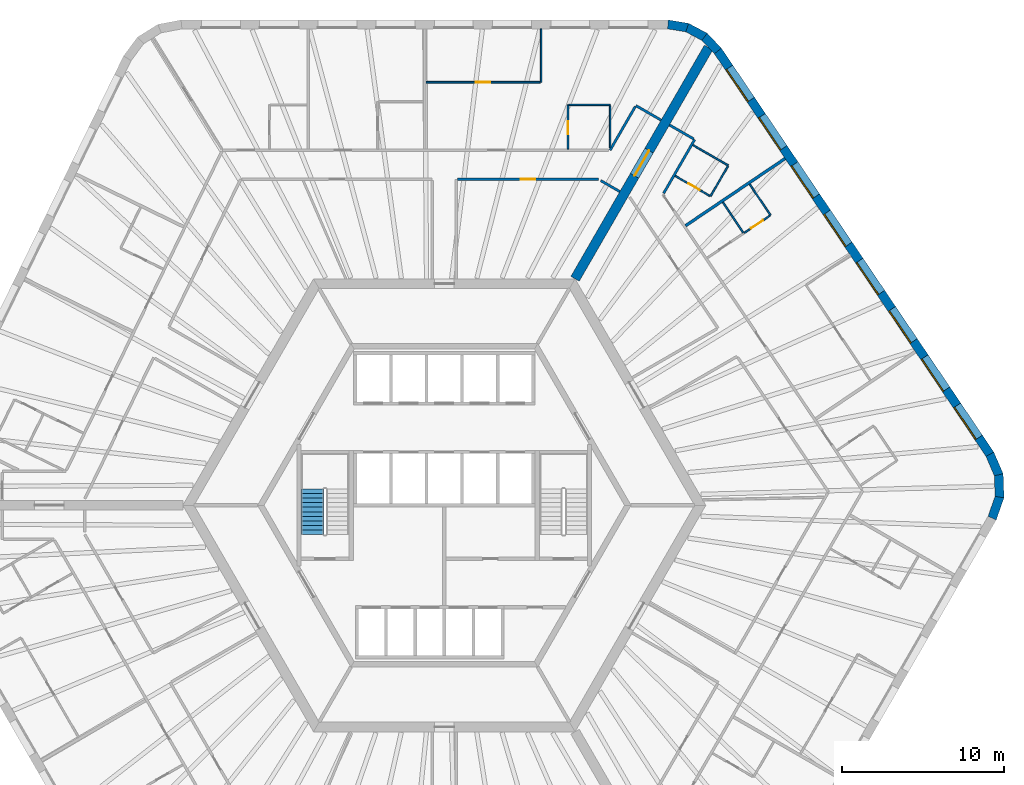
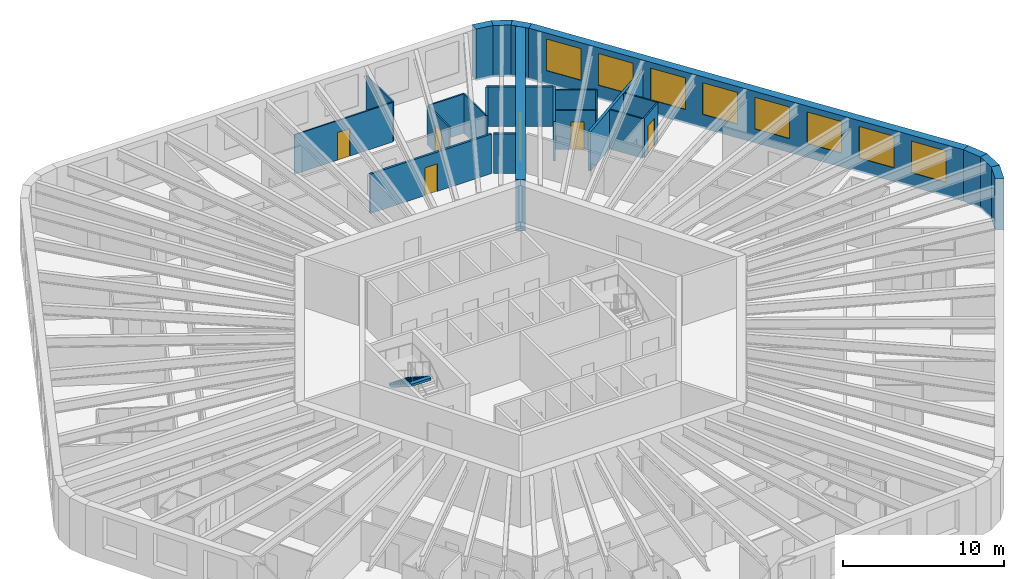
# One storey, part 10 of 12: 26 walls, 8 windows, 6 doors, 1 stair flight, 14 openings, 1 element without a shape of its own.
"""IFC4 building model written with IfcOpenShell, lengths in metres."""

from ifc_helpers import new_model, si_unit, direction, frame, frame_2d, origin, place, context, subcontext, project, spatial, polyline, rectangle, outline, extrude, material, layer, layer_set, type_object, element, fill, aggregate, save


model = new_model("IFC4")

# Units and contexts
model_context = context("Model", 3, precision=1e-05, world=origin(), true_north=direction((0.0, 1.0)))
body_context = subcontext(model_context, "Body", "Model", "MODEL_VIEW")
ifc_project = project(units=[si_unit("LENGTHUNIT", "METRE"), si_unit("AREAUNIT", "SQUARE_METRE"), si_unit("VOLUMEUNIT", "CUBIC_METRE"), si_unit("PLANEANGLEUNIT", "RADIAN"), si_unit("MASSUNIT", "GRAM", prefix="KILO")], contexts=[model_context])

# Site, building, storey
site_placement = place(None, origin())
site = spatial("IfcSite", under=ifc_project, at=site_placement, CompositionType="ELEMENT")
building_placement = place(site_placement, origin())
building = spatial("IfcBuilding", under=site, at=building_placement, Name="Tarnside Tower", CompositionType="ELEMENT")
storey_placement = place(building_placement, frame((0.0, 0.0, 131.10009765625)))
storey = spatial("IfcBuildingStorey", under=building, at=storey_placement, Name="L30", CompositionType="ELEMENT", Elevation=131.10009765625)

# Wall, opening, door
ifc_material_1 = material(Name="Gypsum board partition on steel studs", Category="steel")
ifc_layer_1 = layer(ifc_material_1, 0.10009765625)
ifc_layer_set_1 = layer_set([ifc_layer_1], Name="Bathroom wall 100")
wall_type_1 = type_object("IfcWallType", Name="Bathroom wall 100", PredefinedType="PARTITIONING", material=ifc_layer_set_1)
wall_1_placement = place(storey_placement, frame((7.64794921875, 22.02490234375, 0.0), z_axis=(0.0, 0.0, 1.0), x_axis=(0.0, 1.0, 0.0)))
wall_1 = element("IfcWall", 1, at=wall_1_placement, inside=storey, type_object=wall_type_1, Name="Bathroom wall 09081", PredefinedType="PARTITIONING", context=body_context, shape_type="SweptSolid", body=[
    extrude(rectangle(XDim=2.72509765625, YDim=0.10009765625, at=frame_2d((1.362548828125, 0.0))), origin(), (0.0, 0.0, 1.0), 2.98779296875),
])
opening_1_placement = place(wall_1_placement, frame((0.925048828125, 0.0, 0.0)))
opening_1 = element("IfcOpeningElement", 2, at=opening_1_placement, cuts=wall_1, Name="Opening D-B1", PredefinedType="OPENING", context=body_context, shape_type="SweptSolid", body=[
    extrude(rectangle(XDim=0.800048828125, YDim=2.10009765625, at=frame_2d((0.39990234375, 1.050048828125))), frame((0.0, 0.06005859375, 0.0), z_axis=(0.0, -1.0, 0.0), x_axis=(1.0, 0.0, 0.0)), (0.0, 0.0, 1.0), 0.1201171875),
])
ifc_material_2 = material(Name="Timber door leaf", Category="wood")
door_type_1 = type_object("IfcDoorType", Name="Bathroom door 800", OperationType="NOTDEFINED", PredefinedType="DOOR", material=ifc_material_2)
door_1_placement = place(opening_1_placement, origin())
door_1 = element("IfcDoor", 3, at=door_1_placement, inside=storey, type_object=door_type_1, Name="Bathroom door 09002", OperationType="SINGLE_SWING_RIGHT", OverallHeight=2.10009765625, OverallWidth=0.800048828125, PredefinedType="DOOR", context=body_context, shape_type="SweptSolid", body=[
    extrude(rectangle(XDim=0.800048828125, YDim=2.10009765625, at=frame_2d((0.39990234375, 1.050048828125))), frame((0.0, 0.02490234375, 0.0), z_axis=(0.0, -1.0, 0.0), x_axis=(1.0, 0.0, 0.0)), (0.0, 0.0, 1.0), 0.050048828125),
])
fill(opening_1, door_1)

# Walls
wall_2_placement = place(storey_placement, frame((7.697998046875, 24.75, 0.0), z_axis=(0.0, 0.0, 1.0), x_axis=(1.0, 0.0, 0.0)))
element("IfcWall", 4, at=wall_2_placement, inside=storey, type_object=wall_type_1, Name="Bathroom wall 09082", PredefinedType="PARTITIONING", context=body_context, shape_type="SweptSolid", body=[
    extrude(rectangle(XDim=2.550048828125, YDim=0.10009765625, at=frame_2d((1.27490234375, 0.0))), origin(), (0.0, 0.0, 1.0), 2.98779296875),
])
wall_3_placement = place(storey_placement, frame((10.248046875, 24.699951171875, 0.0), z_axis=(0.0, 0.0, 1.0), x_axis=(0.0, -1.0, 0.0)))
element("IfcWall", 5, at=wall_3_placement, inside=storey, type_object=wall_type_1, Name="Bathroom wall 09083", PredefinedType="PARTITIONING", context=body_context, shape_type="SweptSolid", body=[
    extrude(rectangle(XDim=2.599853515625, YDim=0.10009765625, at=frame_2d((1.2998046875, 0.0))), origin(), (0.0, 0.0, 1.0), 2.98779296875),
])
wall_4_placement = place(storey_placement, frame((18.48388671875, 16.856689453125, 0.0), z_axis=(0.0, 0.0, 1.0), x_axis=(-0.559203826655, 0.82903020467, 0.0)))
element("IfcWall", 6, at=wall_4_placement, inside=storey, type_object=wall_type_1, Name="Bathroom wall 09168", PredefinedType="PARTITIONING", context=body_context, shape_type="SweptSolid", body=[
    extrude(rectangle(XDim=2.26025390625, YDim=0.10009765625, at=frame_2d((1.130126953125, 0.0))), origin(), (0.0, 0.0, 1.0), 2.98779296875),
])
wall_5_placement = place(storey_placement, frame((15.36865234375, 22.26953125, 0.0), z_axis=(0.0, 0.0, 1.0), x_axis=(0.866039067339, -0.499976333282, 0.0)))
element("IfcWall", 7, at=wall_5_placement, inside=storey, type_object=wall_type_1, Name="Bathroom wall 09171", PredefinedType="PARTITIONING", context=body_context, shape_type="SweptSolid", body=[
    extrude(rectangle(XDim=2.52490234375, YDim=0.10009765625, at=frame_2d((1.262451171875, 0.0))), origin(), (0.0, 0.0, 1.0), 2.98779296875),
])
wall_6_placement = place(storey_placement, frame((17.530517578125, 20.963623046875, 0.0), z_axis=(0.0, 0.0, 1.0), x_axis=(-0.500010803666, -0.866019166195, 0.0)))
element("IfcWall", 8, at=wall_6_placement, inside=storey, type_object=wall_type_1, Name="Bathroom wall 09172", PredefinedType="PARTITIONING", context=body_context, shape_type="SweptSolid", body=[
    extrude(rectangle(XDim=2.14990234375, YDim=0.10009765625, at=frame_2d((1.074951171875, 0.0))), origin(), (0.0, 0.0, 1.0), 2.98779296875),
])

# Wall, opening, door
wall_7_placement = place(storey_placement, frame((16.412109375, 19.126708984375, 0.0), z_axis=(0.0, 0.0, 1.0), x_axis=(-0.866006523861, 0.500032699561, 0.0)))
wall_7 = element("IfcWall", 9, at=wall_7_placement, inside=storey, type_object=wall_type_1, Name="Bathroom wall 09173", PredefinedType="PARTITIONING", context=body_context, shape_type="SweptSolid", body=[
    extrude(rectangle(XDim=2.474853515625, YDim=0.10009765625, at=frame_2d((1.2373046875, 0.0))), origin(), (0.0, 0.0, 1.0), 2.98779296875),
])
opening_2_placement = place(wall_7_placement, frame((0.719970703125, 0.0, 0.0)))
opening_2 = element("IfcOpeningElement", 10, at=opening_2_placement, cuts=wall_7, Name="Opening D-B1", PredefinedType="OPENING", context=body_context, shape_type="SweptSolid", body=[
    extrude(rectangle(XDim=0.800048828125, YDim=2.10009765625, at=frame_2d((0.39990234375, 1.050048828125))), frame((0.0, 0.06005859375, 0.0), z_axis=(0.0, -1.0, 0.0), x_axis=(1.0, 0.0, 0.0)), (0.0, 0.0, 1.0), 0.1201171875),
])
door_2_placement = place(opening_2_placement, origin())
door_2 = element("IfcDoor", 11, at=door_2_placement, inside=storey, type_object=door_type_1, Name="Bathroom door 09044", OperationType="SINGLE_SWING_RIGHT", OverallHeight=2.10009765625, OverallWidth=0.800048828125, PredefinedType="DOOR", context=body_context, shape_type="SweptSolid", body=[
    extrude(rectangle(XDim=0.800048828125, YDim=2.10009765625, at=frame_2d((0.39990234375, 1.050048828125))), frame((0.0, 0.02490234375, 0.0), z_axis=(0.0, -1.0, 0.0), x_axis=(1.0, 0.0, 0.0)), (0.0, 0.0, 1.0), 0.050048828125),
])
fill(opening_2, door_2)

ifc_material_3 = material(Name="Concrete C80/95", Category="concrete")
ifc_layer_2 = layer(ifc_material_3, 0.60009765625)
ifc_layer_set_2 = layer_set([ifc_layer_2], Name="Core wall Z1 600 C80/95")
wall_type_2 = type_object("IfcWallType", Name="Core wall Z1 600 C80/95", PredefinedType="SHEAR", material=ifc_layer_set_2)
wall_8_placement = place(storey_placement, frame((8.0830078125, 14.0, -0.150146484375), z_axis=(0.0, 0.0, 1.0), x_axis=(0.499997680643, 0.866026742862, 0.0)))
wall_8 = element("IfcWall", 12, at=wall_8_placement, inside=storey, type_object=wall_type_2, Name="L30 spine wall 1", PredefinedType="SHEAR", context=body_context, shape_type="SweptSolid", body=[
    extrude(rectangle(XDim=16.5087890625, YDim=0.60009765625, at=frame_2d((8.25439453125, 0.0))), origin(), (0.0, 0.0, 1.0), 3.900146484375),
])
opening_3_placement = place(wall_8_placement, frame((7.3544921875, 0.0, 0.14990234375)))
opening_3 = element("IfcOpeningElement", 13, at=opening_3_placement, cuts=wall_8, Name="Opening CD-SPN", PredefinedType="OPENING", context=body_context, shape_type="SweptSolid", body=[
    extrude(rectangle(XDim=1.800048828125, YDim=2.39990234375, at=frame_2d((0.89990234375, 1.199951171875))), frame((0.0, 0.31005859375, 0.0), z_axis=(0.0, -1.0, 0.0), x_axis=(1.0, 0.0, 0.0)), (0.0, 0.0, 1.0), 0.6201171875),
])
ifc_material_4 = material(Name="Steel fire door", Category="steel")
door_type_2 = type_object("IfcDoorType", Name="Spine passage double door FD60 1800x2400", OperationType="NOTDEFINED", PredefinedType="DOOR", material=ifc_material_4)
door_3_placement = place(opening_3_placement, origin())
door_3 = element("IfcDoor", 14, at=door_3_placement, inside=storey, type_object=door_type_2, Name="L30 spine passage door 1", OperationType="DOUBLE_DOOR_SINGLE_SWING", OverallHeight=2.39990234375, OverallWidth=1.800048828125, PredefinedType="DOOR", context=body_context, shape_type="SweptSolid", body=[
    extrude(rectangle(XDim=1.800048828125, YDim=2.39990234375, at=frame_2d((0.89990234375, 1.199951171875))), frame((0.0, 0.02490234375, 0.0), z_axis=(0.0, -1.0, 0.0), x_axis=(1.0, 0.0, 0.0)), (0.0, 0.0, 1.0), 0.050048828125),
])
fill(opening_3, door_3)

# Walls
ifc_layer_3 = layer(ifc_material_1, 0.14990234375)
ifc_layer_set_3 = layer_set([ifc_layer_3], Name="Corridor wall 150 EI 60")
wall_type_3 = type_object("IfcWallType", Name="Corridor wall 150 EI 60", PredefinedType="PARTITIONING", material=ifc_layer_set_3)
wall_9_placement = place(storey_placement, frame((13.400390625, 23.81005859375, 0.0), z_axis=(0.0, 0.0, 1.0), x_axis=(-0.865989075817, 0.500062916607, 0.0)))
element("IfcWall", 15, at=wall_9_placement, inside=storey, type_object=wall_type_3, Name="Corridor wall 09002", PredefinedType="PARTITIONING", context=body_context, shape_type="SweptSolid", body=[
    extrude(rectangle(XDim=1.800048828125, YDim=0.14990234375, at=frame_2d((0.89990234375, 0.0))), origin(), (0.0, 0.0, 1.0), 2.98779296875),
])
wall_10_placement = place(storey_placement, frame((11.803955078125, 24.64501953125, 0.0), z_axis=(0.0, 0.0, 1.0), x_axis=(-0.499978251519, -0.866037959912, 0.0)))
element("IfcWall", 16, at=wall_10_placement, inside=storey, type_object=wall_type_3, Name="Corridor wall 09003", PredefinedType="PARTITIONING", context=body_context, shape_type="SweptSolid", body=[
    extrude(rectangle(XDim=3.112060546875, YDim=0.14990234375, at=frame_2d((1.55615234375, 0.0))), origin(), (0.0, 0.0, 1.0), 2.98779296875),
])

# Wall, opening, door
wall_11_placement = place(storey_placement, frame((0.824951171875, 20.14990234375, 0.0), z_axis=(0.0, 0.0, 1.0), x_axis=(1.0, 0.0, 0.0)))
wall_11 = element("IfcWall", 17, at=wall_11_placement, inside=storey, type_object=wall_type_3, Name="Corridor wall 09023", PredefinedType="PARTITIONING", context=body_context, shape_type="SweptSolid", body=[
    extrude(rectangle(XDim=8.712158203125, YDim=0.14990234375, at=frame_2d((4.35595703125, 0.0))), origin(), (0.0, 0.0, 1.0), 2.98779296875),
])
opening_4_placement = place(wall_11_placement, frame((3.906005859375, 0.0, 0.0)))
opening_4 = element("IfcOpeningElement", 18, at=opening_4_placement, cuts=wall_11, Name="Opening D-S1", PredefinedType="OPENING", context=body_context, shape_type="SweptSolid", body=[
    extrude(rectangle(XDim=0.89990234375, YDim=2.10009765625, at=frame_2d((0.449951171875, 1.050048828125))), frame((0.0, 0.0849609375, 0.0), z_axis=(0.0, -1.0, 0.0), x_axis=(1.0, 0.0, 0.0)), (0.0, 0.0, 1.0), 0.169921875),
])
door_type_3 = type_object("IfcDoorType", Name="Service room door 900 FD30S", OperationType="NOTDEFINED", PredefinedType="DOOR", material=ifc_material_2)
door_4_placement = place(opening_4_placement, origin())
door_4 = element("IfcDoor", 19, at=door_4_placement, inside=storey, type_object=door_type_3, Name="Service door 09047", OperationType="SINGLE_SWING_RIGHT", OverallHeight=2.10009765625, OverallWidth=0.89990234375, PredefinedType="DOOR", context=body_context, shape_type="SweptSolid", body=[
    extrude(rectangle(XDim=0.89990234375, YDim=2.10009765625, at=frame_2d((0.449951171875, 1.050048828125))), frame((0.0, 0.02490234375, 0.0), z_axis=(0.0, -1.0, 0.0), x_axis=(1.0, 0.0, 0.0)), (0.0, 0.0, 1.0), 0.050048828125),
])
fill(opening_4, door_4)

# Walls
wall_12_placement = place(storey_placement, frame((9.6669921875, 20.074951171875, 0.0), z_axis=(0.0, 0.0, 1.0), x_axis=(0.866000994684, -0.500042275419, 0.0)))
element("IfcWall", 20, at=wall_12_placement, inside=storey, type_object=wall_type_3, Name="Corridor wall 09024", PredefinedType="PARTITIONING", context=body_context, shape_type="SweptSolid", body=[
    extrude(rectangle(XDim=1.36572265625, YDim=0.14990234375, at=frame_2d((0.682861328125, 0.0))), origin(), (0.0, 0.0, 1.0), 2.98779296875),
])
wall_13_placement = place(storey_placement, frame((13.55908203125, 19.284912109375, 0.0), z_axis=(0.0, 0.0, 1.0), x_axis=(0.499975646431, 0.866039463868, 0.0)))
element("IfcWall", 21, at=wall_13_placement, inside=storey, type_object=wall_type_3, Name="Corridor wall 09066", PredefinedType="PARTITIONING", context=body_context, shape_type="SweptSolid", body=[
    extrude(rectangle(XDim=3.839599609375, YDim=0.14990234375, at=frame_2d((1.919921875, 0.0))), origin(), (0.0, 0.0, 1.0), 2.98779296875),
])
wall_14_placement = place(storey_placement, frame((15.413818359375, 22.647705078125, 0.0), z_axis=(0.0, 0.0, 1.0), x_axis=(-0.866074815912, 0.499914405916, 0.0)))
element("IfcWall", 22, at=wall_14_placement, inside=storey, type_object=wall_type_3, Name="Corridor wall 09067", PredefinedType="PARTITIONING", context=body_context, shape_type="SweptSolid", body=[
    extrude(rectangle(XDim=1.724853515625, YDim=0.14990234375, at=frame_2d((0.8623046875, 0.0))), origin(), (0.0, 0.0, 1.0), 2.98779296875),
])
ifc_layer_4 = layer(ifc_material_1, 0.179931640625)
ifc_layer_set_4 = layer_set([ifc_layer_4], Name="Demising wall 180 EI 60")
wall_type_4 = type_object("IfcWallType", Name="Demising wall 180 EI 60", PredefinedType="PARTITIONING", material=ifc_layer_set_4)
wall_15_placement = place(storey_placement, frame((21.066162109375, 21.433349609375, 0.0), z_axis=(0.0, 0.0, 1.0), x_axis=(-0.829028170871, -0.559206841788, 0.0)))
element("IfcWall", 23, at=wall_15_placement, inside=storey, type_object=wall_type_4, Name="Demising wall 09167", PredefinedType="PARTITIONING", context=body_context, shape_type="SweptSolid", body=[
    extrude(rectangle(XDim=7.425048828125, YDim=0.179931640625, at=frame_2d((3.71240234375, 0.0))), origin(), (0.0, 0.0, 1.0), 2.98779296875),
])
ifc_layer_5 = layer(ifc_material_1, 0.10009765625)
ifc_layer_set_5 = layer_set([ifc_layer_5], Name="Partition 100")
wall_type_5 = type_object("IfcWallType", Name="Partition 100", PredefinedType="PARTITIONING", material=ifc_layer_set_5)
wall_16_placement = place(storey_placement, frame((5.989013671875, 29.449951171875, 0.0), z_axis=(0.0, 0.0, 1.0), x_axis=(0.0, -1.0, 0.0)))
element("IfcWall", 24, at=wall_16_placement, inside=storey, type_object=wall_type_5, Name="Partition wall 09084", PredefinedType="PARTITIONING", context=body_context, shape_type="SweptSolid", body=[
    extrude(rectangle(XDim=3.300048828125, YDim=0.10009765625, at=frame_2d((1.64990234375, 0.0))), origin(), (0.0, 0.0, 1.0), 2.98779296875),
])

# Wall, opening, door
wall_17_placement = place(storey_placement, frame((5.93896484375, 26.14990234375, 0.0), z_axis=(0.0, 0.0, 1.0), x_axis=(-1.0, 0.0, 0.0)))
wall_17 = element("IfcWall", 25, at=wall_17_placement, inside=storey, type_object=wall_type_5, Name="Partition wall 09085", PredefinedType="PARTITIONING", context=body_context, shape_type="SweptSolid", body=[
    extrude(rectangle(XDim=7.06005859375, YDim=0.10009765625, at=frame_2d((3.530029296875, 0.0))), origin(), (0.0, 0.0, 1.0), 2.98779296875),
])
opening_5_placement = place(wall_17_placement, frame((3.10009765625, 0.0, 0.0)))
opening_5 = element("IfcOpeningElement", 26, at=opening_5_placement, cuts=wall_17, Name="Opening D-I1", PredefinedType="OPENING", context=body_context, shape_type="SweptSolid", body=[
    extrude(rectangle(XDim=0.89990234375, YDim=2.10009765625, at=frame_2d((0.449951171875, 1.050048828125))), frame((0.0, 0.06005859375, 0.0), z_axis=(0.0, -1.0, 0.0), x_axis=(1.0, 0.0, 0.0)), (0.0, 0.0, 1.0), 0.1201171875),
])
door_type_4 = type_object("IfcDoorType", Name="Internal door 900", OperationType="NOTDEFINED", PredefinedType="DOOR", material=ifc_material_2)
door_5_placement = place(opening_5_placement, origin())
door_5 = element("IfcDoor", 27, at=door_5_placement, inside=storey, type_object=door_type_4, Name="Internal door 09003", OperationType="SINGLE_SWING_RIGHT", OverallHeight=2.10009765625, OverallWidth=0.89990234375, PredefinedType="DOOR", context=body_context, shape_type="SweptSolid", body=[
    extrude(rectangle(XDim=0.89990234375, YDim=2.10009765625, at=frame_2d((0.449951171875, 1.050048828125))), frame((0.0, 0.02490234375, 0.0), z_axis=(0.0, -1.0, 0.0), x_axis=(1.0, 0.0, 0.0)), (0.0, 0.0, 1.0), 0.050048828125),
])
fill(opening_5, door_5)

# Wall
wall_18_placement = place(storey_placement, frame((18.878173828125, 19.848876953125, 0.0), z_axis=(0.0, 0.0, 1.0), x_axis=(0.559204176839, -0.829029968461, 0.0)))
element("IfcWall", 28, at=wall_18_placement, inside=storey, type_object=wall_type_5, Name="Partition wall 09163", PredefinedType="PARTITIONING", context=body_context, shape_type="SweptSolid", body=[
    extrude(rectangle(XDim=2.31005859375, YDim=0.10009765625, at=frame_2d((1.155029296875, 0.0))), origin(), (0.0, 0.0, 1.0), 2.98779296875),
])

# Wall, opening, door
wall_19_placement = place(storey_placement, frame((20.12841796875, 17.90576171875, 0.0), z_axis=(0.0, 0.0, 1.0), x_axis=(-0.82903334026, -0.559199178055, 0.0)))
wall_19 = element("IfcWall", 29, at=wall_19_placement, inside=storey, type_object=wall_type_5, Name="Partition wall 09164", PredefinedType="PARTITIONING", context=body_context, shape_type="SweptSolid", body=[
    extrude(rectangle(XDim=1.900146484375, YDim=0.10009765625, at=frame_2d((0.9501953125, 0.0))), origin(), (0.0, 0.0, 1.0), 2.98779296875),
])
opening_6_placement = place(wall_19_placement, frame((0.5, 0.0, 0.0)))
opening_6 = element("IfcOpeningElement", 30, at=opening_6_placement, cuts=wall_19, Name="Opening D-I1", PredefinedType="OPENING", context=body_context, shape_type="SweptSolid", body=[
    extrude(rectangle(XDim=0.89990234375, YDim=2.10009765625, at=frame_2d((0.449951171875, 1.050048828125))), frame((0.0, 0.06005859375, 0.0), z_axis=(0.0, -1.0, 0.0), x_axis=(1.0, 0.0, 0.0)), (0.0, 0.0, 1.0), 0.1201171875),
])
door_6_placement = place(opening_6_placement, origin())
door_6 = element("IfcDoor", 31, at=door_6_placement, inside=storey, type_object=door_type_4, Name="Internal door 09041", OperationType="SINGLE_SWING_RIGHT", OverallHeight=2.10009765625, OverallWidth=0.89990234375, PredefinedType="DOOR", context=body_context, shape_type="SweptSolid", body=[
    extrude(rectangle(XDim=0.89990234375, YDim=2.10009765625, at=frame_2d((0.449951171875, 1.050048828125))), frame((0.0, 0.02490234375, 0.0), z_axis=(0.0, -1.0, 0.0), x_axis=(1.0, 0.0, 0.0)), (0.0, 0.0, 1.0), 0.050048828125),
])
fill(opening_6, door_6)

# Walls
ifc_material_5 = material(Name="Facing brick", Category="masonry")
ifc_layer_6 = layer(ifc_material_5, 0.10205078125)
ifc_material_6 = material(Name="Concrete C60/75 precast", Category="concrete")
ifc_layer_7 = layer(ifc_material_6, 0.347900390625)
ifc_material_7 = material(Name="Mineral wool insulation")
ifc_layer_8 = layer(ifc_material_7, 0.10009765625)
ifc_layer_set_6 = layer_set([ifc_layer_6, ifc_layer_7, ifc_layer_8], Name="Tube wall 550 brick faced")
wall_type_6 = type_object("IfcWallType", Name="Tube wall 550 brick faced", PredefinedType="SOLIDWALL", material=ifc_layer_set_6)
wall_20_placement = place(storey_placement, frame((33.865966796875, -0.79248046875, -0.150146484375), z_axis=(0.0, 0.0, 1.0), x_axis=(0.33111537203, 0.943590276765, 0.0)))
element("IfcWall", 32, at=wall_20_placement, inside=storey, type_object=wall_type_6, Name="Tube wall L30 F5 chord 17", PredefinedType="SOLIDWALL", context=body_context, shape_type="SweptSolid", body=[
    extrude(outline(polyline([(-0.025634765625, -0.27490234375), (1.4306640625, -0.27490234375), (1.3271484375, 0.27490234375), (0.025634765625, 0.27490234375), (-0.025634765625, -0.27490234375)])), origin(), (0.0, 0.0, 1.0), 3.900146484375),
])
wall_21_placement = place(storey_placement, frame((34.322509765625, 0.508544921875, -0.150146484375), z_axis=(0.0, 0.0, 1.0), x_axis=(-0.034876908462, 0.999391615562, 0.0)))
element("IfcWall", 33, at=wall_21_placement, inside=storey, type_object=wall_type_6, Name="Tube wall L30 F5 chord 18", PredefinedType="SOLIDWALL", context=body_context, shape_type="SweptSolid", body=[
    extrude(outline(polyline([(-0.0517578125, -0.27490234375), (1.4306640625, -0.27490234375), (1.3271484375, 0.27490234375), (0.0517578125, 0.27490234375), (-0.0517578125, -0.27490234375)])), origin(), (0.0, 0.0, 1.0), 3.900146484375),
])
wall_22_placement = place(storey_placement, frame((34.2744140625, 1.88671875, -0.150146484375), z_axis=(0.0, 0.0, 1.0), x_axis=(-0.396161342798, 0.918180913803, 0.0)))
element("IfcWall", 34, at=wall_22_placement, inside=storey, type_object=wall_type_6, Name="Tube wall L30 F5 chord 19", PredefinedType="SOLIDWALL", context=body_context, shape_type="SweptSolid", body=[
    extrude(outline(polyline([(-0.0517578125, -0.27490234375), (1.40478515625, -0.27490234375), (1.353515625, 0.27490234375), (0.0517578125, 0.27490234375), (-0.0517578125, -0.27490234375)])), origin(), (0.0, 0.0, 1.0), 3.900146484375),
])

# Wall, openings, windows
wall_23_placement = place(storey_placement, frame((33.72802734375, 3.153076171875, -0.150146484375), z_axis=(0.0, 0.0, 1.0), x_axis=(-0.559192411416, 0.82903790445, 0.0)))
wall_23 = element("IfcWall", 35, at=wall_23_placement, inside=storey, type_object=wall_type_6, Name="Tube wall L30 F6 flush 20", PredefinedType="SOLIDWALL", context=body_context, shape_type="SweptSolid", body=[
    extrude(outline(polyline([(-0.025634765625, -0.27490234375), (30.09326171875, -0.27490234375), (30.04833984375, 0.27490234375), (0.025634765625, 0.27490234375), (-0.025634765625, -0.27490234375)])), origin(), (0.0, 0.0, 1.0), 3.900146484375),
])
opening_7_placement = place(wall_23_placement, frame((1.235595703125, 0.0, 1.050048828125)))
opening_7 = element("IfcOpeningElement", 36, at=opening_7_placement, cuts=wall_23, Name="Opening WH", PredefinedType="OPENING", context=body_context, shape_type="SweptSolid", body=[
    extrude(rectangle(XDim=2.39990234375, YDim=2.39990234375, at=frame_2d((1.199951171875, 1.199951171875))), frame((0.0, 0.28515625, 0.0), z_axis=(0.0, -1.0, 0.0), x_axis=(1.0, 0.0, 0.0)), (0.0, 0.0, 1.0), 0.570068359375),
])
opening_8_placement = place(wall_23_placement, frame((4.83544921875, 0.0, 1.050048828125)))
opening_8 = element("IfcOpeningElement", 37, at=opening_8_placement, cuts=wall_23, Name="Opening WH", PredefinedType="OPENING", context=body_context, shape_type="SweptSolid", body=[
    extrude(rectangle(XDim=2.39990234375, YDim=2.39990234375, at=frame_2d((1.199951171875, 1.199951171875))), frame((0.0, 0.28515625, 0.0), z_axis=(0.0, -1.0, 0.0), x_axis=(1.0, 0.0, 0.0)), (0.0, 0.0, 1.0), 0.570068359375),
])
opening_9_placement = place(wall_23_placement, frame((8.435546875, 0.0, 1.050048828125)))
opening_9 = element("IfcOpeningElement", 38, at=opening_9_placement, cuts=wall_23, Name="Opening WH", PredefinedType="OPENING", context=body_context, shape_type="SweptSolid", body=[
    extrude(rectangle(XDim=2.39990234375, YDim=2.39990234375, at=frame_2d((1.199951171875, 1.199951171875))), frame((0.0, 0.28515625, 0.0), z_axis=(0.0, -1.0, 0.0), x_axis=(1.0, 0.0, 0.0)), (0.0, 0.0, 1.0), 0.570068359375),
])
opening_10_placement = place(wall_23_placement, frame((12.035400390625, 0.0, 1.050048828125)))
opening_10 = element("IfcOpeningElement", 39, at=opening_10_placement, cuts=wall_23, Name="Opening WH", PredefinedType="OPENING", context=body_context, shape_type="SweptSolid", body=[
    extrude(rectangle(XDim=2.39990234375, YDim=2.39990234375, at=frame_2d((1.199951171875, 1.199951171875))), frame((0.0, 0.28515625, 0.0), z_axis=(0.0, -1.0, 0.0), x_axis=(1.0, 0.0, 0.0)), (0.0, 0.0, 1.0), 0.570068359375),
])
opening_11_placement = place(wall_23_placement, frame((15.635498046875, 0.0, 1.050048828125)))
opening_11 = element("IfcOpeningElement", 40, at=opening_11_placement, cuts=wall_23, Name="Opening WH", PredefinedType="OPENING", context=body_context, shape_type="SweptSolid", body=[
    extrude(rectangle(XDim=2.39990234375, YDim=2.39990234375, at=frame_2d((1.199951171875, 1.199951171875))), frame((0.0, 0.28515625, 0.0), z_axis=(0.0, -1.0, 0.0), x_axis=(1.0, 0.0, 0.0)), (0.0, 0.0, 1.0), 0.570068359375),
])
opening_12_placement = place(wall_23_placement, frame((19.235595703125, 0.0, 1.050048828125)))
opening_12 = element("IfcOpeningElement", 41, at=opening_12_placement, cuts=wall_23, Name="Opening WH", PredefinedType="OPENING", context=body_context, shape_type="SweptSolid", body=[
    extrude(rectangle(XDim=2.39990234375, YDim=2.39990234375, at=frame_2d((1.199951171875, 1.199951171875))), frame((0.0, 0.28515625, 0.0), z_axis=(0.0, -1.0, 0.0), x_axis=(1.0, 0.0, 0.0)), (0.0, 0.0, 1.0), 0.570068359375),
])
opening_13_placement = place(wall_23_placement, frame((22.83544921875, 0.0, 1.050048828125)))
opening_13 = element("IfcOpeningElement", 42, at=opening_13_placement, cuts=wall_23, Name="Opening WH", PredefinedType="OPENING", context=body_context, shape_type="SweptSolid", body=[
    extrude(rectangle(XDim=2.39990234375, YDim=2.39990234375, at=frame_2d((1.199951171875, 1.199951171875))), frame((0.0, 0.28515625, 0.0), z_axis=(0.0, -1.0, 0.0), x_axis=(1.0, 0.0, 0.0)), (0.0, 0.0, 1.0), 0.570068359375),
])
opening_14_placement = place(wall_23_placement, frame((26.435546875, 0.0, 1.050048828125)))
opening_14 = element("IfcOpeningElement", 43, at=opening_14_placement, cuts=wall_23, Name="Opening WH", PredefinedType="OPENING", context=body_context, shape_type="SweptSolid", body=[
    extrude(rectangle(XDim=2.39990234375, YDim=2.39990234375, at=frame_2d((1.199951171875, 1.199951171875))), frame((0.0, 0.28515625, 0.0), z_axis=(0.0, -1.0, 0.0), x_axis=(1.0, 0.0, 0.0)), (0.0, 0.0, 1.0), 0.570068359375),
])
ifc_material_8 = material(Name="Aluminium-framed double glazing", Category="aluminium")
window_type = type_object("IfcWindowType", Name="Hotel window 2400 x 2400", PartitioningType="DOUBLE_PANEL_VERTICAL", PredefinedType="WINDOW", material=ifc_material_8)
window_1_placement = place(opening_7_placement, frame((0.0, 0.205078125, 0.0)))
window_1 = element("IfcWindow", 44, at=window_1_placement, inside=storey, type_object=window_type, Name="E.WN.L30.F6.00", OverallHeight=2.39990234375, OverallWidth=2.39990234375, PartitioningType="DOUBLE_PANEL_VERTICAL", PredefinedType="WINDOW", context=body_context, shape_type="SweptSolid", body=[
    extrude(rectangle(XDim=2.39990234375, YDim=2.39990234375, at=frame_2d((1.199951171875, 1.199951171875))), frame((0.0, 0.030029296875, 0.0), z_axis=(0.0, -1.0, 0.0), x_axis=(1.0, 0.0, 0.0)), (0.0, 0.0, 1.0), 0.06005859375),
])
fill(opening_7, window_1)
window_2_placement = place(opening_8_placement, frame((0.0, 0.205078125, 0.0)))
window_2 = element("IfcWindow", 45, at=window_2_placement, inside=storey, type_object=window_type, Name="E.WN.L30.F6.01", OverallHeight=2.39990234375, OverallWidth=2.39990234375, PartitioningType="DOUBLE_PANEL_VERTICAL", PredefinedType="WINDOW", context=body_context, shape_type="SweptSolid", body=[
    extrude(rectangle(XDim=2.39990234375, YDim=2.39990234375, at=frame_2d((1.199951171875, 1.199951171875))), frame((0.0, 0.030029296875, 0.0), z_axis=(0.0, -1.0, 0.0), x_axis=(1.0, 0.0, 0.0)), (0.0, 0.0, 1.0), 0.06005859375),
])
fill(opening_8, window_2)
window_3_placement = place(opening_9_placement, frame((0.0, 0.205078125, 0.0)))
window_3 = element("IfcWindow", 46, at=window_3_placement, inside=storey, type_object=window_type, Name="E.WN.L30.F6.02", OverallHeight=2.39990234375, OverallWidth=2.39990234375, PartitioningType="DOUBLE_PANEL_VERTICAL", PredefinedType="WINDOW", context=body_context, shape_type="SweptSolid", body=[
    extrude(rectangle(XDim=2.39990234375, YDim=2.39990234375, at=frame_2d((1.199951171875, 1.199951171875))), frame((0.0, 0.030029296875, 0.0), z_axis=(0.0, -1.0, 0.0), x_axis=(1.0, 0.0, 0.0)), (0.0, 0.0, 1.0), 0.06005859375),
])
fill(opening_9, window_3)
window_4_placement = place(opening_10_placement, frame((0.0, 0.205078125, 0.0)))
window_4 = element("IfcWindow", 47, at=window_4_placement, inside=storey, type_object=window_type, Name="E.WN.L30.F6.03", OverallHeight=2.39990234375, OverallWidth=2.39990234375, PartitioningType="DOUBLE_PANEL_VERTICAL", PredefinedType="WINDOW", context=body_context, shape_type="SweptSolid", body=[
    extrude(rectangle(XDim=2.39990234375, YDim=2.39990234375, at=frame_2d((1.199951171875, 1.199951171875))), frame((0.0, 0.030029296875, 0.0), z_axis=(0.0, -1.0, 0.0), x_axis=(1.0, 0.0, 0.0)), (0.0, 0.0, 1.0), 0.06005859375),
])
fill(opening_10, window_4)
window_5_placement = place(opening_11_placement, frame((0.0, 0.205078125, 0.0)))
window_5 = element("IfcWindow", 48, at=window_5_placement, inside=storey, type_object=window_type, Name="E.WN.L30.F6.04", OverallHeight=2.39990234375, OverallWidth=2.39990234375, PartitioningType="DOUBLE_PANEL_VERTICAL", PredefinedType="WINDOW", context=body_context, shape_type="SweptSolid", body=[
    extrude(rectangle(XDim=2.39990234375, YDim=2.39990234375, at=frame_2d((1.199951171875, 1.199951171875))), frame((0.0, 0.030029296875, 0.0), z_axis=(0.0, -1.0, 0.0), x_axis=(1.0, 0.0, 0.0)), (0.0, 0.0, 1.0), 0.06005859375),
])
fill(opening_11, window_5)
window_6_placement = place(opening_12_placement, frame((0.0, 0.205078125, 0.0)))
window_6 = element("IfcWindow", 49, at=window_6_placement, inside=storey, type_object=window_type, Name="E.WN.L30.F6.05", OverallHeight=2.39990234375, OverallWidth=2.39990234375, PartitioningType="DOUBLE_PANEL_VERTICAL", PredefinedType="WINDOW", context=body_context, shape_type="SweptSolid", body=[
    extrude(rectangle(XDim=2.39990234375, YDim=2.39990234375, at=frame_2d((1.199951171875, 1.199951171875))), frame((0.0, 0.030029296875, 0.0), z_axis=(0.0, -1.0, 0.0), x_axis=(1.0, 0.0, 0.0)), (0.0, 0.0, 1.0), 0.06005859375),
])
fill(opening_12, window_6)
window_7_placement = place(opening_13_placement, frame((0.0, 0.205078125, 0.0)))
window_7 = element("IfcWindow", 50, at=window_7_placement, inside=storey, type_object=window_type, Name="E.WN.L30.F6.06", OverallHeight=2.39990234375, OverallWidth=2.39990234375, PartitioningType="DOUBLE_PANEL_VERTICAL", PredefinedType="WINDOW", context=body_context, shape_type="SweptSolid", body=[
    extrude(rectangle(XDim=2.39990234375, YDim=2.39990234375, at=frame_2d((1.199951171875, 1.199951171875))), frame((0.0, 0.030029296875, 0.0), z_axis=(0.0, -1.0, 0.0), x_axis=(1.0, 0.0, 0.0)), (0.0, 0.0, 1.0), 0.06005859375),
])
fill(opening_13, window_7)
window_8_placement = place(opening_14_placement, frame((0.0, 0.205078125, 0.0)))
window_8 = element("IfcWindow", 51, at=window_8_placement, inside=storey, type_object=window_type, Name="E.WN.L30.F6.07", OverallHeight=2.39990234375, OverallWidth=2.39990234375, PartitioningType="DOUBLE_PANEL_VERTICAL", PredefinedType="WINDOW", context=body_context, shape_type="SweptSolid", body=[
    extrude(rectangle(XDim=2.39990234375, YDim=2.39990234375, at=frame_2d((1.199951171875, 1.199951171875))), frame((0.0, 0.030029296875, 0.0), z_axis=(0.0, -1.0, 0.0), x_axis=(1.0, 0.0, 0.0)), (0.0, 0.0, 1.0), 0.06005859375),
])
fill(opening_14, window_8)

# Walls
wall_24_placement = place(storey_placement, frame((16.91259765625, 28.0830078125, -0.150146484375), z_axis=(0.0, 0.0, 1.0), x_axis=(-0.686196220404, 0.727416488061, 0.0)))
element("IfcWall", 52, at=wall_24_placement, inside=storey, type_object=wall_type_6, Name="Tube wall L30 F6 chord 21", PredefinedType="SOLIDWALL", context=body_context, shape_type="SweptSolid", body=[
    extrude(outline(polyline([(-0.0224609375, -0.27490234375), (1.25341796875, -0.27490234375), (1.1630859375, 0.27490234375), (0.0224609375, 0.27490234375), (-0.0224609375, -0.27490234375)])), origin(), (0.0, 0.0, 1.0), 3.900146484375),
])
wall_25_placement = place(storey_placement, frame((16.08349609375, 28.9619140625, -0.150146484375), z_axis=(0.0, 0.0, 1.0), x_axis=(-0.882995347911, 0.469381737574, 0.0)))
element("IfcWall", 53, at=wall_25_placement, inside=storey, type_object=wall_type_6, Name="Tube wall L30 F6 chord 22", PredefinedType="SOLIDWALL", context=body_context, shape_type="SweptSolid", body=[
    extrude(outline(polyline([(-0.045166015625, -0.27490234375), (1.25341796875, -0.27490234375), (1.1630859375, 0.27490234375), (0.045166015625, 0.27490234375), (-0.045166015625, -0.27490234375)])), origin(), (0.0, 0.0, 1.0), 3.900146484375),
])
wall_26_placement = place(storey_placement, frame((15.0166015625, 29.529052734375, -0.150146484375), z_axis=(0.0, 0.0, 1.0), x_axis=(-0.986746625868, 0.162268593195, 0.0)))
element("IfcWall", 54, at=wall_26_placement, inside=storey, type_object=wall_type_6, Name="Tube wall L30 F6 chord 23", PredefinedType="SOLIDWALL", context=body_context, shape_type="SweptSolid", body=[
    extrude(outline(polyline([(-0.045166015625, -0.27490234375), (1.230712890625, -0.27490234375), (1.185791015625, 0.27490234375), (0.045166015625, 0.27490234375), (-0.045166015625, -0.27490234375)])), origin(), (0.0, 0.0, 1.0), 3.900146484375),
])

# Stair, stair flight
ifc_material_9 = material(Name="Concrete C40/50", Category="concrete")
stair_type = type_object("IfcStairType", Name="Exit stair 1400 clear", PredefinedType="HALF_TURN_STAIR", material=ifc_material_9)
stair_placement = place(storey_placement, origin())
stair = element("IfcStair", 55, at=stair_placement, inside=storey, type_object=stair_type, Name="L30 Exit stair 2", PredefinedType="HALF_TURN_STAIR")
stair_flight_type = type_object("IfcStairFlightType", Name="Exit stair flight 1400", PredefinedType="STRAIGHT", material=ifc_material_9)
stair_flight_placement = place(storey_placement, frame((-8.14990234375, 1.0, 1.949951171875), z_axis=(0.0, 0.0, 1.0), x_axis=(0.0, -1.0, 0.0)))
stair_flight = element("IfcStairFlight", 56, at=stair_flight_placement, type_object=stair_flight_type, Name="ST2 flight 2", NumberOfRisers=11, NumberOfTreads=10, PredefinedType="STRAIGHT", RiserHeight=0.177272727, TreadLength=0.28, context=body_context, shape_type="SweptSolid", body=[
    extrude(outline(polyline([(0.0, 0.0), (0.0, 0.17724609375), (0.280029296875, 0.17724609375), (0.280029296875, 0.3544921875), (0.56005859375, 0.3544921875), (0.56005859375, 0.53173828125), (0.840087890625, 0.53173828125), (0.840087890625, 0.708984375), (1.1201171875, 0.708984375), (1.1201171875, 0.886474609375), (1.39990234375, 0.886474609375), (1.39990234375, 1.063720703125), (1.679931640625, 1.063720703125), (1.679931640625, 1.240966796875), (1.9599609375, 1.240966796875), (1.9599609375, 1.418212890625), (2.239990234375, 1.418212890625), (2.239990234375, 1.595458984375), (2.52001953125, 1.595458984375), (2.52001953125, 1.772705078125), (2.800048828125, 1.772705078125), (2.800048828125, 1.949951171875), (2.800048828125, 1.59521484375), (0.2802734375, 0.0), (0.0, 0.0)])), frame((0.0, 0.699951171875, 0.0), z_axis=(0.0, -1.0, 0.0), x_axis=(1.0, 0.0, 0.0)), (0.0, 0.0, 1.0), 1.39990234375),
])
aggregate(stair, [stair_flight])

save(model, "model.ifc")
